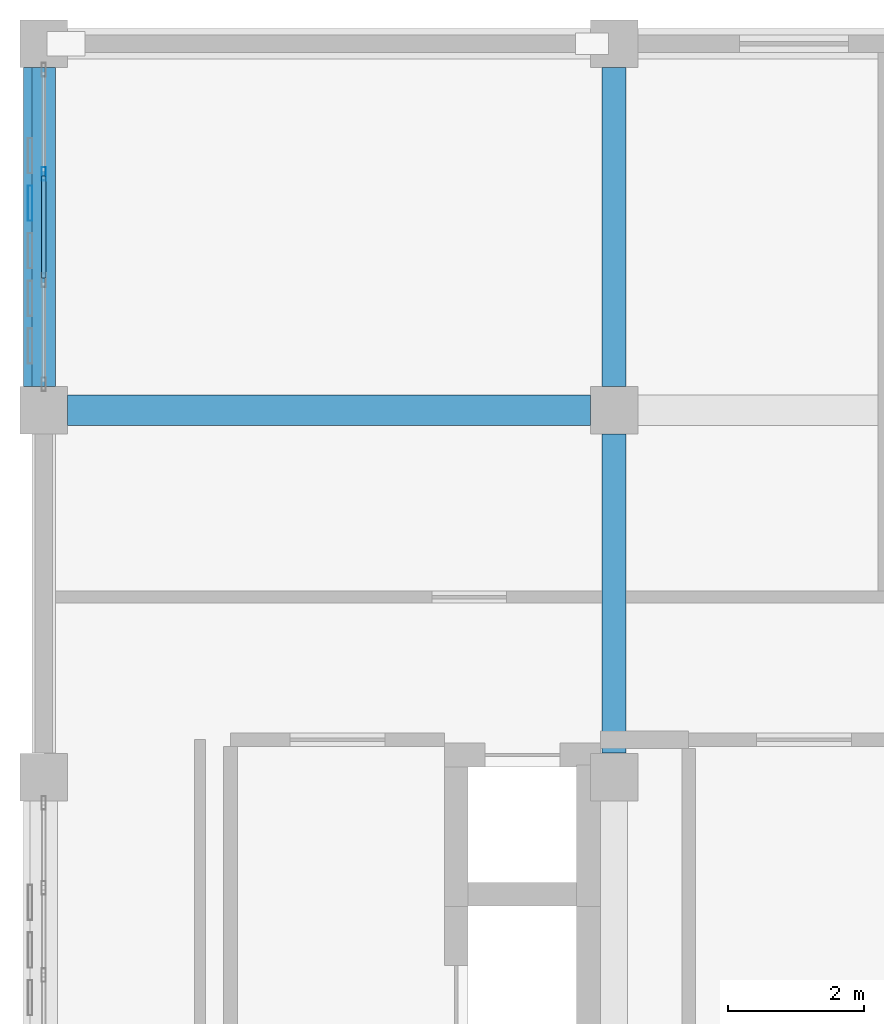
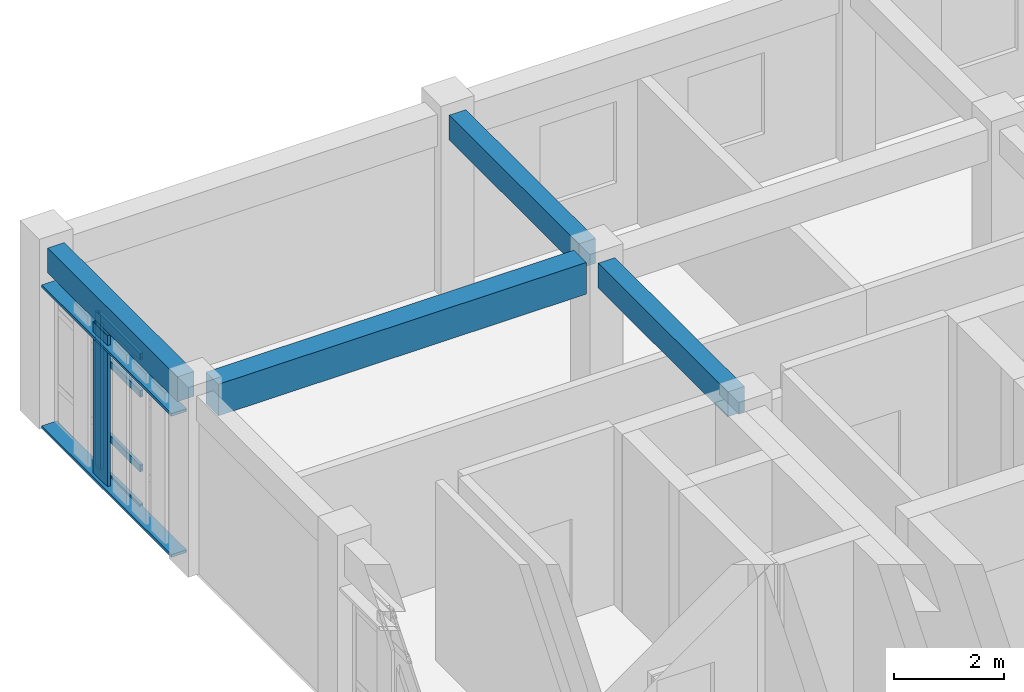
# One storey, part 10 of 23: 8 members, 4 beams, 1 element without a shape of its own.
"""IFC4 building model written with IfcOpenShell, lengths in metres."""

from ifc_helpers import new_model, si_unit, direction, frame, origin, origin_2d, place, context, subcontext, project, spatial, rectangle, hollow_rectangle, extrude, material, layer, layer_set, material_profile, profile_set, type_object, element, aggregate, save


model = new_model("IFC4")

# Units and contexts
model_context = context("Model", 3, precision=1e-05, world=origin(), true_north=direction((0.0, 1.0)))
body_context = subcontext(model_context, "Body", "Model", "MODEL_VIEW")
ifc_project = project(units=[si_unit("LENGTHUNIT", "METRE"), si_unit("AREAUNIT", "SQUARE_METRE"), si_unit("VOLUMEUNIT", "CUBIC_METRE"), si_unit("PLANEANGLEUNIT", "RADIAN"), si_unit("MASSUNIT", "GRAM", prefix="KILO")], contexts=[model_context])

# Site, building, storey
site_placement = place(None, origin())
site = spatial("IfcSite", under=ifc_project, at=site_placement, CompositionType="ELEMENT")
building_placement = place(site_placement, origin())
building = spatial("IfcBuilding", under=site, at=building_placement, Name="Krzemoval Escarpment Law Courts", CompositionType="ELEMENT")
storey_placement = place(building_placement, frame((0.0, 0.0, 33.60009765625)))
storey = spatial("IfcBuildingStorey", under=building, at=storey_placement, Name="L07", CompositionType="ELEMENT", Elevation=33.60009765625)

# Beams
ifc_material_1 = material(Name="Concrete C40/50", Category="concrete")
ifc_material_profile_1 = material_profile(ifc_material_1, rectangle(XDim=0.35009765625, YDim=0.550048828125, at=origin_2d()), Name="RCB 350x550")
ifc_profile_set_1 = profile_set([ifc_material_profile_1], Name="Concrete C40/50")
beam_type_1 = type_object("IfcBeamType", Name="BM-RC-350x550", PredefinedType="BEAM", material=ifc_profile_set_1)
for number, where, z_axis, x_axis, name in (
    (1, (126.0, 113.75, 3.6748046875), (0.0, 1.0, 0.0), (-1.0, 0.0, 0.0), "Beam FG-L07-2718"),
    (2, (134.39990234375, 108.35009765625, 3.6748046875), (0.0, 1.0, 0.0), (-1.0, 0.0, 0.0), "Beam FG-L07-2722"),
    (3, (134.39990234375, 113.75, 3.6748046875), (0.0, 1.0, 0.0), (-1.0, 0.0, 0.0), "Beam FG-L07-2723"),
):
    element("IfcBeam", number, at=place(storey_placement, frame(where, z_axis=z_axis, x_axis=x_axis)), inside=storey, type_object=beam_type_1, Name=name, PredefinedType="BEAM", context=body_context, shape_type="SweptSolid", body=[
        extrude(rectangle(XDim=0.35009765625, YDim=0.550048828125, at=origin_2d()), origin(), (0.0, 0.0, 1.0), 4.699951171875),
    ])
ifc_material_2 = material(Name="Concrete C40/50", Category="concrete")
ifc_material_profile_2 = material_profile(ifc_material_2, rectangle(XDim=0.449951171875, YDim=0.699951171875, at=origin_2d()), Name="RCB 450x700")
ifc_profile_set_2 = profile_set([ifc_material_profile_2], Name="Concrete C40/50")
beam_type_2 = type_object("IfcBeamType", Name="BM-RC-450x700", PredefinedType="BEAM", material=ifc_profile_set_2)
beam_placement = place(storey_placement, frame((126.35009765625, 113.39990234375, 3.599853515625), z_axis=(1.0, 0.0, 0.0), x_axis=(0.0, 1.0, 0.0)))
element("IfcBeam", 4, at=beam_placement, inside=storey, type_object=beam_type_2, Name="Beam FG-L07-2704", PredefinedType="BEAM", context=body_context, shape_type="SweptSolid", body=[
    extrude(rectangle(XDim=0.449951171875, YDim=0.699951171875, at=origin_2d()), origin(), (0.0, 0.0, 1.0), 7.699951171875),
])

# Curtain wall, members
ifc_material_3 = material(Name="Aluminium 6063-T6", Category="aluminium")
ifc_layer = layer(ifc_material_3, 0.219970703125)
ifc_layer_set = layer_set([ifc_layer], Name="Aluminium 6063-T6")
curtain_wall_type = type_object("IfcCurtainWallType", Name="CW-CHMB-4200", PredefinedType="USERDEFINED", material=ifc_layer_set)
curtain_wall_placement = place(storey_placement, origin())
curtain_wall = element("IfcCurtainWall", 5, at=curtain_wall_placement, inside=storey, type_object=curtain_wall_type, Name="Unitised Curtain Wall FCW-L07-157", ObjectType="UNITISED_CURTAIN_WALL", PredefinedType="USERDEFINED")
ifc_material_4 = material(Name="Aluminium 6063-T6", Category="aluminium")
ifc_material_profile_3 = material_profile(ifc_material_4, hollow_rectangle(XDim=0.06494140625, YDim=0.199951171875, WallThickness=0.00439453125, at=origin_2d()), Name="ALU M65x200")
ifc_profile_set_3 = profile_set([ifc_material_profile_3], Name="Aluminium 6063-T6")
member_type_1 = type_object("IfcMemberType", Name="CWM-65x200", PredefinedType="MULLION", material=ifc_profile_set_3)
member_1_placement = place(storey_placement, frame((126.0, 116.88330078125, 0.0), z_axis=(0.0, 0.0, 1.0), x_axis=(-1.0, 0.0, 0.0)))
member_1 = element("IfcMember", 6, at=member_1_placement, type_object=member_type_1, Name="FCW-L07-157 mullion 3", PredefinedType="MULLION", context=body_context, shape_type="SweptSolid", body=[
    extrude(hollow_rectangle(XDim=0.06494140625, YDim=0.199951171875, WallThickness=0.00439453125, at=origin_2d()), origin(), (0.0, 0.0, 1.0), 3.39990234375),
])
ifc_material_5 = material(Name="Aluminium 6063-T6", Category="aluminium")
ifc_material_profile_4 = material_profile(ifc_material_5, hollow_rectangle(XDim=0.06494140625, YDim=0.14990234375, WallThickness=0.00439453125, at=origin_2d()), Name="ALU T65x150")
ifc_profile_set_4 = profile_set([ifc_material_profile_4], Name="Aluminium 6063-T6")
member_type_2 = type_object("IfcMemberType", Name="CWT-65x150", PredefinedType="USERDEFINED", material=ifc_profile_set_4)
member_2_placement = place(storey_placement, frame((126.0, 115.34912109375, 0.032470703125), z_axis=(0.0, 1.0, 0.0), x_axis=(-1.0, 0.0, 0.0)))
member_2 = element("IfcMember", 7, at=member_2_placement, type_object=member_type_2, Name="FCW-L07-157 transom 2.1", ObjectType="TRANSOM", PredefinedType="USERDEFINED", context=body_context, shape_type="SweptSolid", body=[
    extrude(hollow_rectangle(XDim=0.06494140625, YDim=0.14990234375, WallThickness=0.00439453125, at=origin_2d()), origin(), (0.0, 0.0, 1.0), 1.501708984375),
])
member_3_placement = place(storey_placement, frame((126.0, 115.34912109375, 0.89990234375), z_axis=(0.0, 1.0, 0.0), x_axis=(-1.0, 0.0, 0.0)))
member_3 = element("IfcMember", 8, at=member_3_placement, type_object=member_type_2, Name="FCW-L07-157 transom 2.2", ObjectType="TRANSOM", PredefinedType="USERDEFINED", context=body_context, shape_type="SweptSolid", body=[
    extrude(hollow_rectangle(XDim=0.06494140625, YDim=0.14990234375, WallThickness=0.00439453125, at=origin_2d()), origin(), (0.0, 0.0, 1.0), 1.501708984375),
])
member_4_placement = place(storey_placement, frame((126.0, 115.34912109375, 2.5498046875), z_axis=(0.0, 1.0, 0.0), x_axis=(-1.0, 0.0, 0.0)))
member_4 = element("IfcMember", 9, at=member_4_placement, type_object=member_type_2, Name="FCW-L07-157 transom 2.3", ObjectType="TRANSOM", PredefinedType="USERDEFINED", context=body_context, shape_type="SweptSolid", body=[
    extrude(hollow_rectangle(XDim=0.06494140625, YDim=0.14990234375, WallThickness=0.00439453125, at=origin_2d()), origin(), (0.0, 0.0, 1.0), 1.501708984375),
])
member_5_placement = place(storey_placement, frame((126.0, 115.34912109375, 3.367431640625), z_axis=(0.0, 1.0, 0.0), x_axis=(-1.0, 0.0, 0.0)))
member_5 = element("IfcMember", 10, at=member_5_placement, type_object=member_type_2, Name="FCW-L07-157 transom 2.4", ObjectType="TRANSOM", PredefinedType="USERDEFINED", context=body_context, shape_type="SweptSolid", body=[
    extrude(hollow_rectangle(XDim=0.06494140625, YDim=0.14990234375, WallThickness=0.00439453125, at=origin_2d()), origin(), (0.0, 0.0, 1.0), 1.501708984375),
])
aggregate(curtain_wall, [member_1, member_2, member_3, member_4, member_5])

# Members
ifc_material_6 = material(Name="Anodised Aluminium Alloy 6063-T6", Category="aluminium")
ifc_material_profile_5 = material_profile(ifc_material_6, hollow_rectangle(XDim=0.06005859375, YDim=0.320068359375, WallThickness=0.00390625, at=origin_2d()), Name="ALU LVR 60x320")
ifc_profile_set_5 = profile_set([ifc_material_profile_5], Name="Anodised Aluminium Alloy 6063-T6")
member_type_3 = type_object("IfcMemberType", Name="LVR-ALU-320", PredefinedType="USERDEFINED", material=ifc_profile_set_5)
for number, where, z_axis, x_axis, name in (
    (11, (125.860107421875, 113.75, 0.02978515625), (0.0, 1.0, 0.0), (0.0, 0.0, 1.0), "Sunshade Support Rail FSR-L07-1041"),
    (12, (125.860107421875, 113.75, 3.14990234375), (0.0, 1.0, 0.0), (0.0, 0.0, 1.0), "Sunshade Support Rail FSR-L07-1042"),
):
    element("IfcMember", number, at=place(storey_placement, frame(where, z_axis=z_axis, x_axis=x_axis)), inside=storey, type_object=member_type_3, Name=name, ObjectType="SUNSHADE_LOUVRE", PredefinedType="USERDEFINED", context=body_context, shape_type="SweptSolid", body=[
        extrude(hollow_rectangle(XDim=0.06005859375, YDim=0.320068359375, WallThickness=0.00390625, at=origin_2d()), origin(), (0.0, 0.0, 1.0), 4.699951171875),
    ])
ifc_material_7 = material(Name="Anodised Aluminium Alloy 6063-T6", Category="aluminium")
ifc_material_profile_6 = material_profile(ifc_material_7, hollow_rectangle(XDim=0.06494140625, YDim=0.52001953125, WallThickness=0.00439453125, at=origin_2d()), Name="ALU LVR 65x520")
ifc_profile_set_6 = profile_set([ifc_material_profile_6], Name="Anodised Aluminium Alloy 6063-T6")
member_type_4 = type_object("IfcMemberType", Name="LVR-ALU-520", PredefinedType="USERDEFINED", material=ifc_profile_set_6)
member_6_placement = place(storey_placement, frame((125.800048828125, 116.449951171875, 0.059814453125), z_axis=(0.0, 0.0, 1.0), x_axis=(1.0, 0.0, 0.0)))
element("IfcMember", 13, at=member_6_placement, inside=storey, type_object=member_type_4, Name="Sunshade Louvre Fin FLV-L07-1046", ObjectType="SUNSHADE_LOUVRE", PredefinedType="USERDEFINED", context=body_context, shape_type="SweptSolid", body=[
    extrude(hollow_rectangle(XDim=0.06494140625, YDim=0.52001953125, WallThickness=0.00439453125, at=origin_2d()), origin(), (0.0, 0.0, 1.0), 3.340087890625),
])

save(model, "model.ifc")
